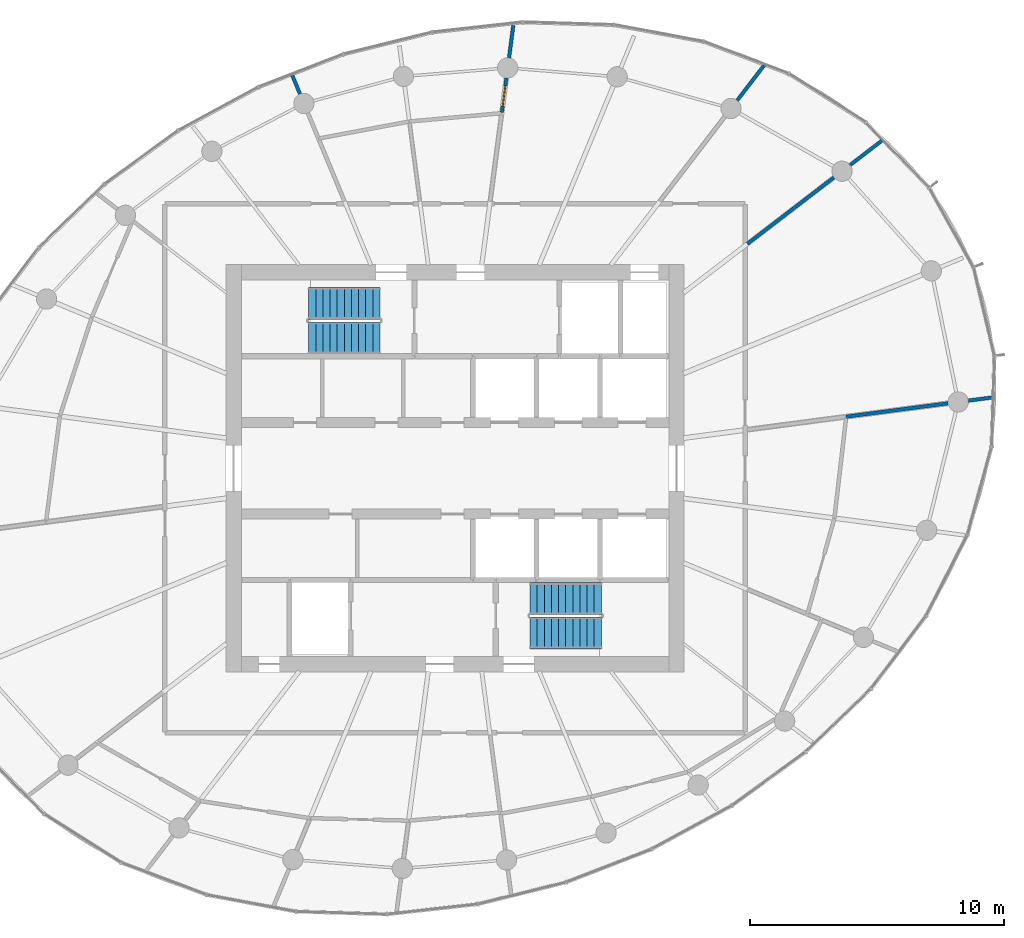
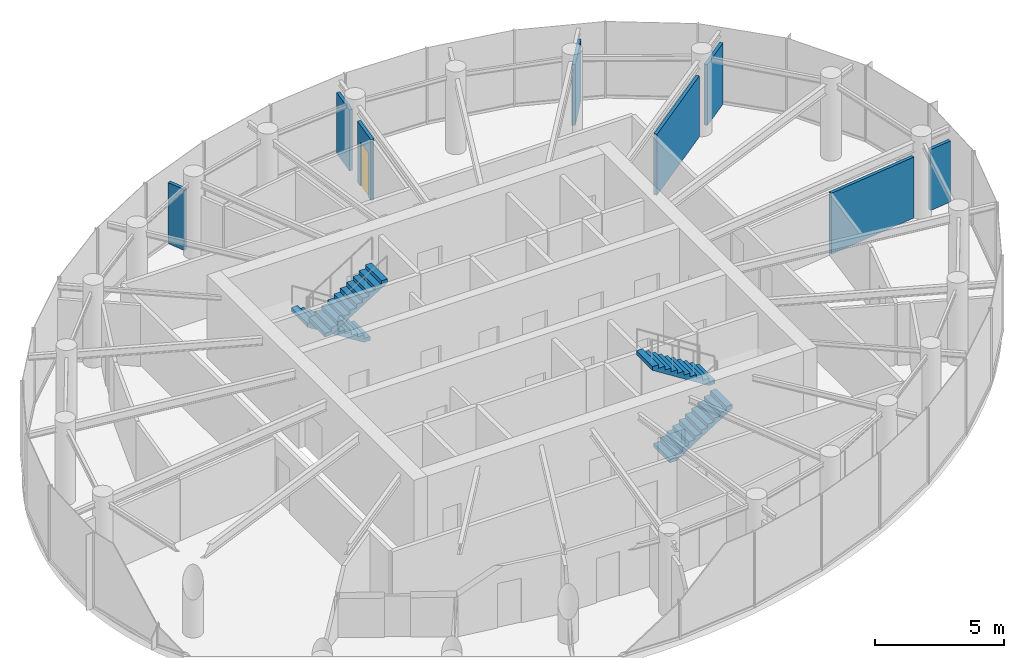
# One storey, part 11 of 13: 8 walls, 4 stair flights, 1 door, 1 opening, 2 elements without a shape of their own.
"""IFC4 building model written with IfcOpenShell, lengths in metres."""

from ifc_helpers import new_model, si_unit, direction, frame, frame_2d, origin, place, context, subcontext, project, spatial, line, indexed_curve, rectangle, outline, extrude, source, transform, mapped, material, layer, layer_set, type_object, element, fill, aggregate, save


model = new_model("IFC4")

# Units and contexts
model_context = context("Model", 3, precision=1e-05, world=origin(), true_north=direction((0.0, 1.0)))
body_context = subcontext(model_context, "Body", "Model", "MODEL_VIEW")
ifc_project = project(units=[si_unit("LENGTHUNIT", "METRE"), si_unit("AREAUNIT", "SQUARE_METRE"), si_unit("VOLUMEUNIT", "CUBIC_METRE"), si_unit("PLANEANGLEUNIT", "RADIAN"), si_unit("MASSUNIT", "GRAM", prefix="KILO")], contexts=[model_context])

# Site, building, storey
site_placement = place(None, origin())
site = spatial("IfcSite", under=ifc_project, at=site_placement, CompositionType="ELEMENT")
building_placement = place(site_placement, origin())
building = spatial("IfcBuilding", under=site, at=building_placement, Name="Spindrift Exchange Tower", CompositionType="ELEMENT")
storey_placement = place(building_placement, frame((0.0, 0.0, 242.300048828125)))
storey = spatial("IfcBuildingStorey", under=building, at=storey_placement, Name="L59", CompositionType="ELEMENT", Elevation=242.300048828125)

# Walls
ifc_material_1 = material(Name="Fire-rated plasterboard partition", Category="gypsum")
ifc_layer = layer(ifc_material_1, 0.139892578125)
ifc_layer_set = layer_set([ifc_layer], Name="W-PART-140")
wall_type = type_object("IfcWallType", Name="W-PART-140", PredefinedType="PARTITIONING", material=ifc_layer_set)
wall_1_placement = place(storey_placement, frame((63.489990234375, 56.816650390625, 0.0), z_axis=(0.0, 0.0, 1.0), x_axis=(0.793358616255, 0.608754553177, 0.0)))
element("IfcWall", 1, at=wall_1_placement, inside=storey, type_object=wall_type, Name="L59 Partition wall 33", PredefinedType="PARTITIONING", context=body_context, shape_type="SweptSolid", body=[
    extrude(rectangle(XDim=4.28369140625, YDim=0.139892578125, at=frame_2d((2.141845703125, 0.0))), origin(), (0.0, 0.0, 1.0), 2.8798828125),
])
wall_2_placement = place(storey_placement, frame((67.37353515625, 50.02392578125, 0.0), z_axis=(0.0, 0.0, 1.0), x_axis=(0.991448325459, 0.130499877179, 0.0)))
element("IfcWall", 2, at=wall_2_placement, inside=storey, type_object=wall_type, Name="L59 Partition wall 38", PredefinedType="PARTITIONING", context=body_context, shape_type="SweptSolid", body=[
    extrude(rectangle(XDim=4.037109375, YDim=0.139892578125, at=frame_2d((2.0185546875, 0.0))), origin(), (0.0, 0.0, 1.0), 2.8798828125),
])
wall_3_placement = place(storey_placement, frame((63.09326171875, 62.456787109375, 0.0), z_axis=(0.0, 0.0, 1.0), x_axis=(0.608647541693, 0.793440716116, 0.0)))
element("IfcWall", 3, at=wall_3_placement, inside=storey, type_object=wall_type, Name="L59 Partition wall 61", PredefinedType="PARTITIONING", context=body_context, shape_type="SweptSolid", body=[
    extrude(rectangle(XDim=1.73193359375, YDim=0.139892578125, at=frame_2d((0.865966796875, 0.0))), origin(), (0.0, 0.0, 1.0), 2.8798828125),
])
wall_4_placement = place(storey_placement, frame((67.530517578125, 59.9169921875, 0.0), z_axis=(0.0, 0.0, 1.0), x_axis=(0.793355628453, 0.608758447006, 0.0)))
element("IfcWall", 4, at=wall_4_placement, inside=storey, type_object=wall_type, Name="L59 Partition wall 63", PredefinedType="PARTITIONING", context=body_context, shape_type="SweptSolid", body=[
    extrude(rectangle(XDim=1.598876953125, YDim=0.139892578125, at=frame_2d((0.79931640625, 0.0))), origin(), (0.0, 0.0, 1.0), 2.8798828125),
])

# Wall, opening, door
wall_5_placement = place(storey_placement, frame((53.8408203125, 61.982666015625, 0.0), z_axis=(0.0, 0.0, 1.0), x_axis=(0.130598565914, 0.991435330509, 0.0)))
wall_5 = element("IfcWall", 5, at=wall_5_placement, inside=storey, type_object=wall_type, Name="L59 Partition wall 68", PredefinedType="PARTITIONING", context=body_context, shape_type="SweptSolid", body=[
    extrude(rectangle(XDim=1.359130859375, YDim=0.139892578125, at=frame_2d((0.6796875, 0.0))), origin(), (0.0, 0.0, 1.0), 2.8798828125),
])
opening_placement = place(wall_5_placement, frame((0.25, 0.0, 0.0)))
opening = element("IfcOpeningElement", 6, at=opening_placement, cuts=wall_5, Name="Opening L59-D42", PredefinedType="OPENING", context=body_context, shape_type="SweptSolid", body=[
    extrude(rectangle(XDim=0.800048828125, YDim=2.10009765625, at=frame_2d((0.39990234375, 1.050048828125))), frame((0.0, 0.079833984375, 0.0), z_axis=(0.0, -1.0, 0.0), x_axis=(1.0, 0.0, 0.0)), (0.0, 0.0, 1.0), 0.159912109375),
])
ifc_material_2 = material(Name="Timber-core fire door", Category="wood")
door_type = type_object("IfcDoorType", Name="DR-ROOM-800", OperationType="NOTDEFINED", PredefinedType="DOOR", material=ifc_material_2)
shared_shape = source(origin(), body_context, "Body", "SweptSolid", [
    extrude(rectangle(XDim=0.800048828125, YDim=2.10009765625, at=frame_2d((0.39990234375, 1.050048828125))), frame((0.0, 0.02490234375, 0.0), z_axis=(0.0, -1.0, 0.0), x_axis=(1.0, 0.0, 0.0)), (0.0, 0.0, 1.0), 0.050048828125),
])
door_placement = place(opening_placement, origin())
door = element("IfcDoor", 7, at=door_placement, inside=storey, type_object=door_type, Name="L59 Door 42", OperationType="SINGLE_SWING_RIGHT", OverallHeight=2.10009765625, OverallWidth=0.800048828125, PredefinedType="DOOR", context=body_context, shape_type="MappedRepresentation", body=[
    mapped(shared_shape, transform((0.0, 0.0, 0.0), scale=1.0)),
])
fill(opening, door)

# Walls
wall_6_placement = place(storey_placement, frame((54.123779296875, 64.13232421875, 0.0), z_axis=(0.0, 0.0, 1.0), x_axis=(0.130617047537, 0.991432895809, 0.0)))
element("IfcWall", 8, at=wall_6_placement, inside=storey, type_object=wall_type, Name="L59 Partition wall 71", PredefinedType="PARTITIONING", context=body_context, shape_type="SweptSolid", body=[
    extrude(rectangle(XDim=1.2822265625, YDim=0.139892578125, at=frame_2d((0.64111328125, 0.0))), origin(), (0.0, 0.0, 1.0), 2.8798828125),
])
wall_7_placement = place(storey_placement, frame((72.178466796875, 50.656494140625, 0.0), z_axis=(0.0, 0.0, 1.0), x_axis=(0.991428116695, 0.130653317704, 0.0)))
element("IfcWall", 9, at=wall_7_placement, inside=storey, type_object=wall_type, Name="L59 Partition wall 76", PredefinedType="PARTITIONING", context=body_context, shape_type="SweptSolid", body=[
    extrude(rectangle(XDim=0.98486328125, YDim=0.139892578125, at=frame_2d((0.492431640625, 0.0))), origin(), (0.0, 0.0, 1.0), 2.8798828125),
])
wall_8_placement = place(storey_placement, frame((45.90771484375, 62.708251953125, 0.0), z_axis=(0.0, 0.0, 1.0), x_axis=(-0.382763038267, 0.923846554649, 0.0)))
element("IfcWall", 10, at=wall_8_placement, inside=storey, type_object=wall_type, Name="L59 Partition wall 81", PredefinedType="PARTITIONING", context=body_context, shape_type="SweptSolid", body=[
    extrude(rectangle(XDim=0.786376953125, YDim=0.139892578125, at=frame_2d((0.39306640625, 0.0))), origin(), (0.0, 0.0, 1.0), 2.8798828125),
])

# Stair, stair flights
ifc_material_3 = material(Name="Concrete 50 MPa", Category="concrete")
stair_type = type_object("IfcStairType", Name="ST-1250-R177", PredefinedType="HALF_TURN_STAIR", material=ifc_material_3)
stair_1_placement = place(storey_placement, origin())
stair_1 = element("IfcStair", 11, at=stair_1_placement, inside=storey, type_object=stair_type, Name="L59 Exit stair ST1", PredefinedType="HALF_TURN_STAIR")
stair_flight_type = type_object("IfcStairFlightType", Name="STF-1250-R177", PredefinedType="STRAIGHT", material=ifc_material_3)
stair_flight_1_placement = place(storey_placement, frame((49.050048828125, 54.47509765625, 0.0), z_axis=(0.0, 0.0, 1.0), x_axis=(-1.0, 0.0, 0.0)))
stair_flight_1 = element("IfcStairFlight", 12, at=stair_flight_1_placement, type_object=stair_flight_type, Name="ST1 flight 1", NumberOfRisers=11, NumberOfTreads=10, PredefinedType="STRAIGHT", RiserHeight=0.177272727, TreadLength=0.28, context=body_context, shape_type="SweptSolid", body=[
    extrude(outline(indexed_curve([(0.0, 0.0), (0.0, 0.177734375), (0.2802734375, 0.177734375), (0.2802734375, 0.3544921875), (0.5595703125, 0.3544921875), (0.5595703125, 0.5322265625), (0.83984375, 0.5322265625), (0.83984375, 0.708984375), (1.1201171875, 0.708984375), (1.1201171875, 0.88671875), (1.400390625, 0.88671875), (1.400390625, 1.0634765625), (1.6796875, 1.0634765625), (1.6796875, 1.2412109375), (1.9599609375, 1.2412109375), (1.9599609375, 1.41796875), (2.240234375, 1.41796875), (2.240234375, 1.595703125), (2.51953125, 1.595703125), (2.51953125, 1.7724609375), (2.7998046875, 1.7724609375), (2.7998046875, 1.9501953125), (2.7998046875, 1.595703125), (0.2802734375, 0.0)], segments=[line(1, 2, 3, 4, 5, 6, 7, 8, 9, 10, 11, 12, 13, 14, 15, 16, 17, 18, 19, 20, 21, 22, 23, 24, 1)], self_intersect=False)), frame((0.0, 0.625, 0.0), z_axis=(0.0, -1.0, 0.0), x_axis=(1.0, 0.0, 0.0)), (0.0, 0.0, 1.0), 1.25),
])
stair_flight_2_placement = place(storey_placement, frame((46.25, 53.125, 1.949951171875), z_axis=(0.0, 0.0, 1.0), x_axis=(1.0, 0.0, 0.0)))
stair_flight_2 = element("IfcStairFlight", 13, at=stair_flight_2_placement, type_object=stair_flight_type, Name="ST1 flight 2", NumberOfRisers=11, NumberOfTreads=10, PredefinedType="STRAIGHT", RiserHeight=0.177272727, TreadLength=0.28, context=body_context, shape_type="SweptSolid", body=[
    extrude(outline(indexed_curve([(0.0, 0.0), (0.0, 0.177734375), (0.2802734375, 0.177734375), (0.2802734375, 0.3544921875), (0.5595703125, 0.3544921875), (0.5595703125, 0.5322265625), (0.83984375, 0.5322265625), (0.83984375, 0.708984375), (1.1201171875, 0.708984375), (1.1201171875, 0.88671875), (1.400390625, 0.88671875), (1.400390625, 1.0634765625), (1.6796875, 1.0634765625), (1.6796875, 1.2412109375), (1.9599609375, 1.2412109375), (1.9599609375, 1.41796875), (2.240234375, 1.41796875), (2.240234375, 1.595703125), (2.51953125, 1.595703125), (2.51953125, 1.7724609375), (2.7998046875, 1.7724609375), (2.7998046875, 1.9501953125), (2.7998046875, 1.595703125), (0.2802734375, 0.0)], segments=[line(1, 2, 3, 4, 5, 6, 7, 8, 9, 10, 11, 12, 13, 14, 15, 16, 17, 18, 19, 20, 21, 22, 23, 24, 1)], self_intersect=False)), frame((0.0, 0.625, 0.0), z_axis=(0.0, -1.0, 0.0), x_axis=(1.0, 0.0, 0.0)), (0.0, 0.0, 1.0), 1.25),
])
aggregate(stair_1, [stair_flight_1, stair_flight_2])

stair_2_placement = place(storey_placement, origin())
stair_2 = element("IfcStair", 14, at=stair_2_placement, inside=storey, type_object=stair_type, Name="L59 Exit stair ST2", PredefinedType="HALF_TURN_STAIR")
stair_flight_3_placement = place(storey_placement, frame((54.949951171875, 41.52490234375, 0.0), z_axis=(0.0, 0.0, 1.0), x_axis=(1.0, 0.0, 0.0)))
stair_flight_3 = element("IfcStairFlight", 15, at=stair_flight_3_placement, type_object=stair_flight_type, Name="ST2 flight 1", NumberOfRisers=11, NumberOfTreads=10, PredefinedType="STRAIGHT", RiserHeight=0.177272727, TreadLength=0.28, context=body_context, shape_type="SweptSolid", body=[
    extrude(outline(indexed_curve([(0.0, 0.0), (0.0, 0.177734375), (0.2802734375, 0.177734375), (0.2802734375, 0.3544921875), (0.5595703125, 0.3544921875), (0.5595703125, 0.5322265625), (0.83984375, 0.5322265625), (0.83984375, 0.708984375), (1.1201171875, 0.708984375), (1.1201171875, 0.88671875), (1.400390625, 0.88671875), (1.400390625, 1.0634765625), (1.6796875, 1.0634765625), (1.6796875, 1.2412109375), (1.9599609375, 1.2412109375), (1.9599609375, 1.41796875), (2.240234375, 1.41796875), (2.240234375, 1.595703125), (2.51953125, 1.595703125), (2.51953125, 1.7724609375), (2.7998046875, 1.7724609375), (2.7998046875, 1.9501953125), (2.7998046875, 1.595703125), (0.2802734375, 0.0)], segments=[line(1, 2, 3, 4, 5, 6, 7, 8, 9, 10, 11, 12, 13, 14, 15, 16, 17, 18, 19, 20, 21, 22, 23, 24, 1)], self_intersect=False)), frame((0.0, 0.625, 0.0), z_axis=(0.0, -1.0, 0.0), x_axis=(1.0, 0.0, 0.0)), (0.0, 0.0, 1.0), 1.25),
])
stair_flight_4_placement = place(storey_placement, frame((57.75, 42.875, 1.949951171875), z_axis=(0.0, 0.0, 1.0), x_axis=(-1.0, 0.0, 0.0)))
stair_flight_4 = element("IfcStairFlight", 16, at=stair_flight_4_placement, type_object=stair_flight_type, Name="ST2 flight 2", NumberOfRisers=11, NumberOfTreads=10, PredefinedType="STRAIGHT", RiserHeight=0.177272727, TreadLength=0.28, context=body_context, shape_type="SweptSolid", body=[
    extrude(outline(indexed_curve([(0.0, 0.0), (0.0, 0.177734375), (0.2802734375, 0.177734375), (0.2802734375, 0.3544921875), (0.5595703125, 0.3544921875), (0.5595703125, 0.5322265625), (0.83984375, 0.5322265625), (0.83984375, 0.708984375), (1.1201171875, 0.708984375), (1.1201171875, 0.88671875), (1.400390625, 0.88671875), (1.400390625, 1.0634765625), (1.6796875, 1.0634765625), (1.6796875, 1.2412109375), (1.9599609375, 1.2412109375), (1.9599609375, 1.41796875), (2.240234375, 1.41796875), (2.240234375, 1.595703125), (2.51953125, 1.595703125), (2.51953125, 1.7724609375), (2.7998046875, 1.7724609375), (2.7998046875, 1.9501953125), (2.7998046875, 1.595703125), (0.2802734375, 0.0)], segments=[line(1, 2, 3, 4, 5, 6, 7, 8, 9, 10, 11, 12, 13, 14, 15, 16, 17, 18, 19, 20, 21, 22, 23, 24, 1)], self_intersect=False)), frame((0.0, 0.625, 0.0), z_axis=(0.0, -1.0, 0.0), x_axis=(1.0, 0.0, 0.0)), (0.0, 0.0, 1.0), 1.25),
])
aggregate(stair_2, [stair_flight_3, stair_flight_4])

save(model, "model.ifc")
